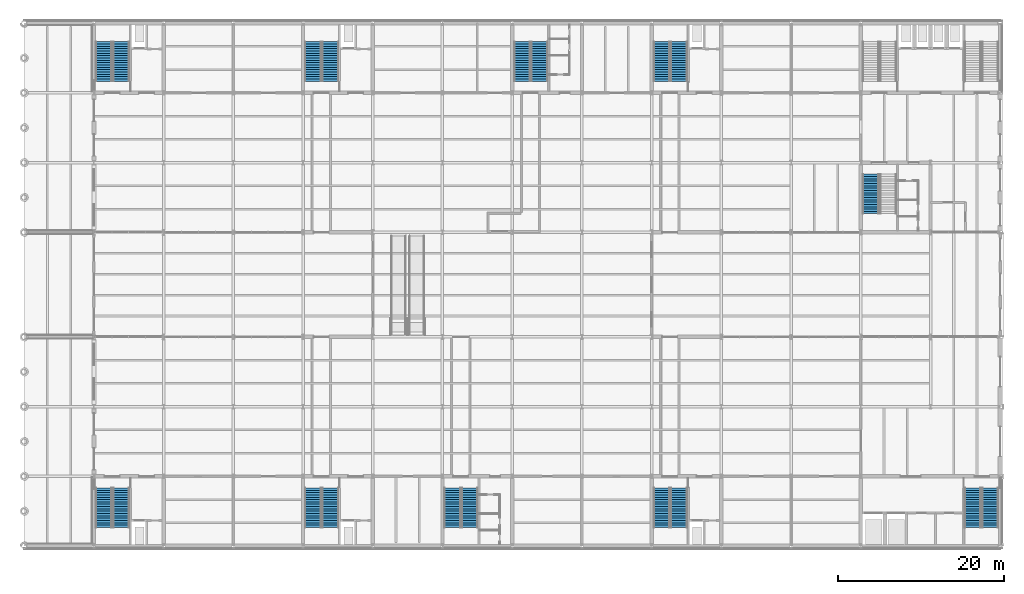
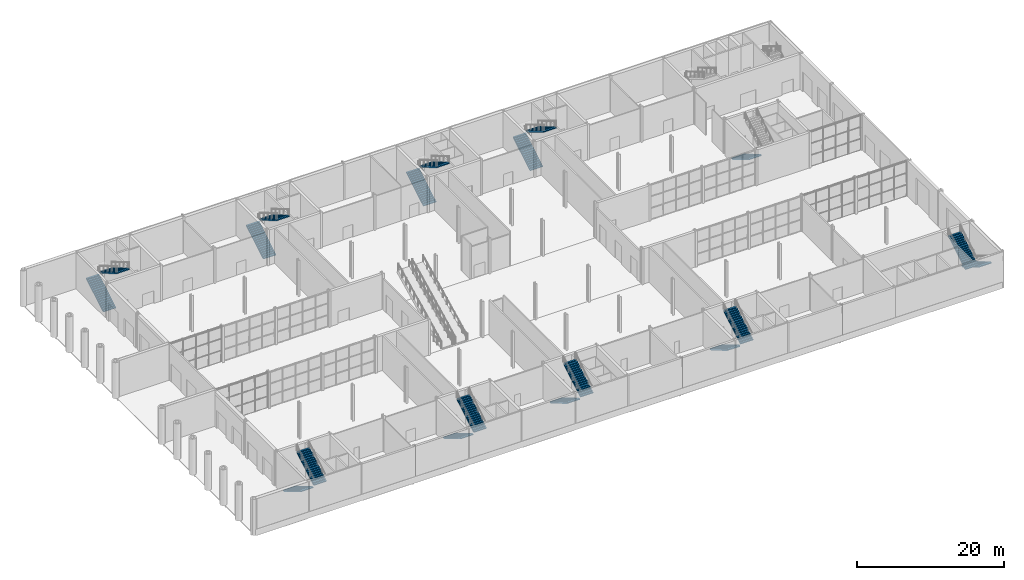
# One storey, part 38 of 55: 19 stair flights, 10 elements without a shape of their own.
"""IFC4 building model written with IfcOpenShell, lengths in metres."""

from ifc_helpers import new_model, si_unit, direction, frame, origin, place, context, subcontext, project, spatial, polyline, outline, extrude, material, type_object, element, aggregate, save


model = new_model("IFC4")

# Units and contexts
model_context = context("Model", 3, precision=1e-05, world=origin(), true_north=direction((0.0, 1.0)))
body_context = subcontext(model_context, "Body", "Model", "MODEL_VIEW")
ifc_project = project(units=[si_unit("LENGTHUNIT", "METRE"), si_unit("AREAUNIT", "SQUARE_METRE"), si_unit("VOLUMEUNIT", "CUBIC_METRE"), si_unit("PLANEANGLEUNIT", "RADIAN"), si_unit("MASSUNIT", "GRAM", prefix="KILO")], contexts=[model_context])

# Site, building, storey
site_placement = place(None, origin())
site = spatial("IfcSite", under=ifc_project, at=site_placement, CompositionType="ELEMENT")
building_placement = place(site_placement, origin())
building = spatial("IfcBuilding", under=site, at=building_placement, Name="Galleria Vessillo Department Store", CompositionType="ELEMENT")
storey_placement = place(building_placement, origin())
storey = spatial("IfcBuildingStorey", under=building, at=storey_placement, Name="L00", CompositionType="ELEMENT", Elevation=0.0)

# Stair, stair flights
ifc_material_1 = material(Name="Concrete C32/40", Category="concrete")
stair_type = type_object("IfcStairType", Name="Half-turn escape stair 2000 mm, 36 risers of 167 mm", PredefinedType="HALF_TURN_STAIR", material=ifc_material_1)
stair_1_placement = place(storey_placement, origin())
stair_1 = element("IfcStair", 1, at=stair_1_placement, inside=storey, type_object=stair_type, Name="Stair ST1 L00", PredefinedType="HALF_TURN_STAIR")
ifc_material_2 = material(Name="Concrete C32/40", Category="concrete")
stair_flight_type = type_object("IfcStairFlightType", Name="Stair flight 2000 mm, 18 risers of 167 mm", PredefinedType="STRAIGHT", material=ifc_material_2)
stair_flight_1_placement = place(storey_placement, frame((9.60009765625, 7.00048828125, 0.0), z_axis=(0.0, 0.0, 1.0), x_axis=(0.0, -1.0, 0.0)))
stair_flight_1 = element("IfcStairFlight", 2, at=stair_flight_1_placement, type_object=stair_flight_type, Name="ST1 flight 1", NumberOfRisers=18, NumberOfTreads=17, PredefinedType="STRAIGHT", RiserHeight=0.166666667, TreadLength=0.28, context=body_context, shape_type="SweptSolid", body=[
    extrude(outline(polyline([(0.0, 0.0), (0.0, 0.166748046875), (0.280029296875, 0.166748046875), (0.280029296875, 0.333251953125), (0.56005859375, 0.333251953125), (0.56005859375, 0.5), (0.840087890625, 0.5), (0.840087890625, 0.666748046875), (1.1201171875, 0.666748046875), (1.1201171875, 0.833251953125), (1.39990234375, 0.833251953125), (1.39990234375, 1.0), (1.679931640625, 1.0), (1.679931640625, 1.166748046875), (1.9599609375, 1.166748046875), (1.9599609375, 1.333251953125), (2.239990234375, 1.333251953125), (2.239990234375, 1.5), (2.52001953125, 1.5), (2.52001953125, 1.666748046875), (2.800048828125, 1.666748046875), (2.800048828125, 1.833251953125), (3.080078125, 1.833251953125), (3.080078125, 2.0), (3.360107421875, 2.0), (3.360107421875, 2.166748046875), (3.639892578125, 2.166748046875), (3.639892578125, 2.333251953125), (3.919921875, 2.333251953125), (3.919921875, 2.5), (4.199951171875, 2.5), (4.199951171875, 2.666748046875), (4.47998046875, 2.666748046875), (4.47998046875, 2.833251953125), (4.760009765625, 2.833251953125), (4.760009765625, 3.0), (4.760009765625, 2.658935546875), (0.29296875, 0.0), (0.0, 0.0)])), frame((0.0, 1.0, 0.0), z_axis=(0.0, -1.0, 0.0), x_axis=(1.0, 0.0, 0.0)), (0.0, 0.0, 1.0), 2.0),
])
stair_flight_2_placement = place(storey_placement, frame((11.699951171875, 2.240478515625, 3.0), z_axis=(0.0, 0.0, 1.0), x_axis=(0.0, 1.0, 0.0)))
stair_flight_2 = element("IfcStairFlight", 3, at=stair_flight_2_placement, type_object=stair_flight_type, Name="ST1 flight 2", NumberOfRisers=18, NumberOfTreads=17, PredefinedType="STRAIGHT", RiserHeight=0.166666667, TreadLength=0.28, context=body_context, shape_type="SweptSolid", body=[
    extrude(outline(polyline([(0.0, 0.0), (0.0, 0.166748046875), (0.280029296875, 0.166748046875), (0.280029296875, 0.333251953125), (0.56005859375, 0.333251953125), (0.56005859375, 0.5), (0.840087890625, 0.5), (0.840087890625, 0.666748046875), (1.1201171875, 0.666748046875), (1.1201171875, 0.833251953125), (1.39990234375, 0.833251953125), (1.39990234375, 1.0), (1.679931640625, 1.0), (1.679931640625, 1.166748046875), (1.9599609375, 1.166748046875), (1.9599609375, 1.333251953125), (2.239990234375, 1.333251953125), (2.239990234375, 1.5), (2.52001953125, 1.5), (2.52001953125, 1.666748046875), (2.800048828125, 1.666748046875), (2.800048828125, 1.833251953125), (3.080078125, 1.833251953125), (3.080078125, 2.0), (3.360107421875, 2.0), (3.360107421875, 2.166748046875), (3.639892578125, 2.166748046875), (3.639892578125, 2.333251953125), (3.919921875, 2.333251953125), (3.919921875, 2.5), (4.199951171875, 2.5), (4.199951171875, 2.666748046875), (4.47998046875, 2.666748046875), (4.47998046875, 2.833251953125), (4.760009765625, 2.833251953125), (4.760009765625, 3.0), (4.760009765625, 2.658935546875), (0.29296875, 0.0), (0.0, 0.0)])), frame((0.0, 1.0, 0.0), z_axis=(0.0, -1.0, 0.0), x_axis=(1.0, 0.0, 0.0)), (0.0, 0.0, 1.0), 2.0),
])
aggregate(stair_1, [stair_flight_1, stair_flight_2])

stair_2_placement = place(storey_placement, origin())
stair_2 = element("IfcStair", 4, at=stair_2_placement, inside=storey, type_object=stair_type, Name="Stair ST2 L00", PredefinedType="HALF_TURN_STAIR")
stair_flight_3_placement = place(storey_placement, frame((9.60009765625, 55.99951171875, 0.0), z_axis=(0.0, 0.0, 1.0), x_axis=(0.0, 1.0, 0.0)))
stair_flight_3 = element("IfcStairFlight", 5, at=stair_flight_3_placement, type_object=stair_flight_type, Name="ST2 flight 1", NumberOfRisers=18, NumberOfTreads=17, PredefinedType="STRAIGHT", RiserHeight=0.166666667, TreadLength=0.28, context=body_context, shape_type="SweptSolid", body=[
    extrude(outline(polyline([(0.0, 0.0), (0.0, 0.166748046875), (0.280029296875, 0.166748046875), (0.280029296875, 0.333251953125), (0.56005859375, 0.333251953125), (0.56005859375, 0.5), (0.840087890625, 0.5), (0.840087890625, 0.666748046875), (1.1201171875, 0.666748046875), (1.1201171875, 0.833251953125), (1.39990234375, 0.833251953125), (1.39990234375, 1.0), (1.679931640625, 1.0), (1.679931640625, 1.166748046875), (1.9599609375, 1.166748046875), (1.9599609375, 1.333251953125), (2.239990234375, 1.333251953125), (2.239990234375, 1.5), (2.52001953125, 1.5), (2.52001953125, 1.666748046875), (2.800048828125, 1.666748046875), (2.800048828125, 1.833251953125), (3.080078125, 1.833251953125), (3.080078125, 2.0), (3.360107421875, 2.0), (3.360107421875, 2.166748046875), (3.639892578125, 2.166748046875), (3.639892578125, 2.333251953125), (3.919921875, 2.333251953125), (3.919921875, 2.5), (4.199951171875, 2.5), (4.199951171875, 2.666748046875), (4.47998046875, 2.666748046875), (4.47998046875, 2.833251953125), (4.760009765625, 2.833251953125), (4.760009765625, 3.0), (4.760009765625, 2.658935546875), (0.29296875, 0.0), (0.0, 0.0)])), frame((0.0, 1.0, 0.0), z_axis=(0.0, -1.0, 0.0), x_axis=(1.0, 0.0, 0.0)), (0.0, 0.0, 1.0), 2.0),
])
stair_flight_4_placement = place(storey_placement, frame((11.699951171875, 60.759521484375, 3.0), z_axis=(0.0, 0.0, 1.0), x_axis=(0.0, -1.0, 0.0)))
stair_flight_4 = element("IfcStairFlight", 6, at=stair_flight_4_placement, type_object=stair_flight_type, Name="ST2 flight 2", NumberOfRisers=18, NumberOfTreads=17, PredefinedType="STRAIGHT", RiserHeight=0.166666667, TreadLength=0.28, context=body_context, shape_type="SweptSolid", body=[
    extrude(outline(polyline([(0.0, 0.0), (0.0, 0.166748046875), (0.280029296875, 0.166748046875), (0.280029296875, 0.333251953125), (0.56005859375, 0.333251953125), (0.56005859375, 0.5), (0.840087890625, 0.5), (0.840087890625, 0.666748046875), (1.1201171875, 0.666748046875), (1.1201171875, 0.833251953125), (1.39990234375, 0.833251953125), (1.39990234375, 1.0), (1.679931640625, 1.0), (1.679931640625, 1.166748046875), (1.9599609375, 1.166748046875), (1.9599609375, 1.333251953125), (2.239990234375, 1.333251953125), (2.239990234375, 1.5), (2.52001953125, 1.5), (2.52001953125, 1.666748046875), (2.800048828125, 1.666748046875), (2.800048828125, 1.833251953125), (3.080078125, 1.833251953125), (3.080078125, 2.0), (3.360107421875, 2.0), (3.360107421875, 2.166748046875), (3.639892578125, 2.166748046875), (3.639892578125, 2.333251953125), (3.919921875, 2.333251953125), (3.919921875, 2.5), (4.199951171875, 2.5), (4.199951171875, 2.666748046875), (4.47998046875, 2.666748046875), (4.47998046875, 2.833251953125), (4.760009765625, 2.833251953125), (4.760009765625, 3.0), (4.760009765625, 2.658935546875), (0.29296875, 0.0), (0.0, 0.0)])), frame((0.0, 1.0, 0.0), z_axis=(0.0, -1.0, 0.0), x_axis=(1.0, 0.0, 0.0)), (0.0, 0.0, 1.0), 2.0),
])
aggregate(stair_2, [stair_flight_3, stair_flight_4])

stair_3_placement = place(storey_placement, origin())
stair_3 = element("IfcStair", 7, at=stair_3_placement, inside=storey, type_object=stair_type, Name="Stair ST3 L00", PredefinedType="HALF_TURN_STAIR")
stair_flight_5_placement = place(storey_placement, frame((34.800048828125, 7.00048828125, 0.0), z_axis=(0.0, 0.0, 1.0), x_axis=(0.0, -1.0, 0.0)))
stair_flight_5 = element("IfcStairFlight", 8, at=stair_flight_5_placement, type_object=stair_flight_type, Name="ST3 flight 1", NumberOfRisers=18, NumberOfTreads=17, PredefinedType="STRAIGHT", RiserHeight=0.166666667, TreadLength=0.28, context=body_context, shape_type="SweptSolid", body=[
    extrude(outline(polyline([(0.0, 0.0), (0.0, 0.166748046875), (0.280029296875, 0.166748046875), (0.280029296875, 0.333251953125), (0.56005859375, 0.333251953125), (0.56005859375, 0.5), (0.840087890625, 0.5), (0.840087890625, 0.666748046875), (1.1201171875, 0.666748046875), (1.1201171875, 0.833251953125), (1.39990234375, 0.833251953125), (1.39990234375, 1.0), (1.679931640625, 1.0), (1.679931640625, 1.166748046875), (1.9599609375, 1.166748046875), (1.9599609375, 1.333251953125), (2.239990234375, 1.333251953125), (2.239990234375, 1.5), (2.52001953125, 1.5), (2.52001953125, 1.666748046875), (2.800048828125, 1.666748046875), (2.800048828125, 1.833251953125), (3.080078125, 1.833251953125), (3.080078125, 2.0), (3.360107421875, 2.0), (3.360107421875, 2.166748046875), (3.639892578125, 2.166748046875), (3.639892578125, 2.333251953125), (3.919921875, 2.333251953125), (3.919921875, 2.5), (4.199951171875, 2.5), (4.199951171875, 2.666748046875), (4.47998046875, 2.666748046875), (4.47998046875, 2.833251953125), (4.760009765625, 2.833251953125), (4.760009765625, 3.0), (4.760009765625, 2.658935546875), (0.29296875, 0.0), (0.0, 0.0)])), frame((0.0, 1.0, 0.0), z_axis=(0.0, -1.0, 0.0), x_axis=(1.0, 0.0, 0.0)), (0.0, 0.0, 1.0), 2.0),
])
stair_flight_6_placement = place(storey_placement, frame((36.89990234375, 2.240478515625, 3.0), z_axis=(0.0, 0.0, 1.0), x_axis=(0.0, 1.0, 0.0)))
stair_flight_6 = element("IfcStairFlight", 9, at=stair_flight_6_placement, type_object=stair_flight_type, Name="ST3 flight 2", NumberOfRisers=18, NumberOfTreads=17, PredefinedType="STRAIGHT", RiserHeight=0.166666667, TreadLength=0.28, context=body_context, shape_type="SweptSolid", body=[
    extrude(outline(polyline([(0.0, 0.0), (0.0, 0.166748046875), (0.280029296875, 0.166748046875), (0.280029296875, 0.333251953125), (0.56005859375, 0.333251953125), (0.56005859375, 0.5), (0.840087890625, 0.5), (0.840087890625, 0.666748046875), (1.1201171875, 0.666748046875), (1.1201171875, 0.833251953125), (1.39990234375, 0.833251953125), (1.39990234375, 1.0), (1.679931640625, 1.0), (1.679931640625, 1.166748046875), (1.9599609375, 1.166748046875), (1.9599609375, 1.333251953125), (2.239990234375, 1.333251953125), (2.239990234375, 1.5), (2.52001953125, 1.5), (2.52001953125, 1.666748046875), (2.800048828125, 1.666748046875), (2.800048828125, 1.833251953125), (3.080078125, 1.833251953125), (3.080078125, 2.0), (3.360107421875, 2.0), (3.360107421875, 2.166748046875), (3.639892578125, 2.166748046875), (3.639892578125, 2.333251953125), (3.919921875, 2.333251953125), (3.919921875, 2.5), (4.199951171875, 2.5), (4.199951171875, 2.666748046875), (4.47998046875, 2.666748046875), (4.47998046875, 2.833251953125), (4.760009765625, 2.833251953125), (4.760009765625, 3.0), (4.760009765625, 2.658935546875), (0.29296875, 0.0), (0.0, 0.0)])), frame((0.0, 1.0, 0.0), z_axis=(0.0, -1.0, 0.0), x_axis=(1.0, 0.0, 0.0)), (0.0, 0.0, 1.0), 2.0),
])
aggregate(stair_3, [stair_flight_5, stair_flight_6])

stair_4_placement = place(storey_placement, origin())
stair_4 = element("IfcStair", 10, at=stair_4_placement, inside=storey, type_object=stair_type, Name="Stair ST4 L00", PredefinedType="HALF_TURN_STAIR")
stair_flight_7_placement = place(storey_placement, frame((34.800048828125, 55.99951171875, 0.0), z_axis=(0.0, 0.0, 1.0), x_axis=(0.0, 1.0, 0.0)))
stair_flight_7 = element("IfcStairFlight", 11, at=stair_flight_7_placement, type_object=stair_flight_type, Name="ST4 flight 1", NumberOfRisers=18, NumberOfTreads=17, PredefinedType="STRAIGHT", RiserHeight=0.166666667, TreadLength=0.28, context=body_context, shape_type="SweptSolid", body=[
    extrude(outline(polyline([(0.0, 0.0), (0.0, 0.166748046875), (0.280029296875, 0.166748046875), (0.280029296875, 0.333251953125), (0.56005859375, 0.333251953125), (0.56005859375, 0.5), (0.840087890625, 0.5), (0.840087890625, 0.666748046875), (1.1201171875, 0.666748046875), (1.1201171875, 0.833251953125), (1.39990234375, 0.833251953125), (1.39990234375, 1.0), (1.679931640625, 1.0), (1.679931640625, 1.166748046875), (1.9599609375, 1.166748046875), (1.9599609375, 1.333251953125), (2.239990234375, 1.333251953125), (2.239990234375, 1.5), (2.52001953125, 1.5), (2.52001953125, 1.666748046875), (2.800048828125, 1.666748046875), (2.800048828125, 1.833251953125), (3.080078125, 1.833251953125), (3.080078125, 2.0), (3.360107421875, 2.0), (3.360107421875, 2.166748046875), (3.639892578125, 2.166748046875), (3.639892578125, 2.333251953125), (3.919921875, 2.333251953125), (3.919921875, 2.5), (4.199951171875, 2.5), (4.199951171875, 2.666748046875), (4.47998046875, 2.666748046875), (4.47998046875, 2.833251953125), (4.760009765625, 2.833251953125), (4.760009765625, 3.0), (4.760009765625, 2.658935546875), (0.29296875, 0.0), (0.0, 0.0)])), frame((0.0, 1.0, 0.0), z_axis=(0.0, -1.0, 0.0), x_axis=(1.0, 0.0, 0.0)), (0.0, 0.0, 1.0), 2.0),
])
stair_flight_8_placement = place(storey_placement, frame((36.89990234375, 60.759521484375, 3.0), z_axis=(0.0, 0.0, 1.0), x_axis=(0.0, -1.0, 0.0)))
stair_flight_8 = element("IfcStairFlight", 12, at=stair_flight_8_placement, type_object=stair_flight_type, Name="ST4 flight 2", NumberOfRisers=18, NumberOfTreads=17, PredefinedType="STRAIGHT", RiserHeight=0.166666667, TreadLength=0.28, context=body_context, shape_type="SweptSolid", body=[
    extrude(outline(polyline([(0.0, 0.0), (0.0, 0.166748046875), (0.280029296875, 0.166748046875), (0.280029296875, 0.333251953125), (0.56005859375, 0.333251953125), (0.56005859375, 0.5), (0.840087890625, 0.5), (0.840087890625, 0.666748046875), (1.1201171875, 0.666748046875), (1.1201171875, 0.833251953125), (1.39990234375, 0.833251953125), (1.39990234375, 1.0), (1.679931640625, 1.0), (1.679931640625, 1.166748046875), (1.9599609375, 1.166748046875), (1.9599609375, 1.333251953125), (2.239990234375, 1.333251953125), (2.239990234375, 1.5), (2.52001953125, 1.5), (2.52001953125, 1.666748046875), (2.800048828125, 1.666748046875), (2.800048828125, 1.833251953125), (3.080078125, 1.833251953125), (3.080078125, 2.0), (3.360107421875, 2.0), (3.360107421875, 2.166748046875), (3.639892578125, 2.166748046875), (3.639892578125, 2.333251953125), (3.919921875, 2.333251953125), (3.919921875, 2.5), (4.199951171875, 2.5), (4.199951171875, 2.666748046875), (4.47998046875, 2.666748046875), (4.47998046875, 2.833251953125), (4.760009765625, 2.833251953125), (4.760009765625, 3.0), (4.760009765625, 2.658935546875), (0.29296875, 0.0), (0.0, 0.0)])), frame((0.0, 1.0, 0.0), z_axis=(0.0, -1.0, 0.0), x_axis=(1.0, 0.0, 0.0)), (0.0, 0.0, 1.0), 2.0),
])
aggregate(stair_4, [stair_flight_7, stair_flight_8])

stair_5_placement = place(storey_placement, origin())
stair_5 = element("IfcStair", 13, at=stair_5_placement, inside=storey, type_object=stair_type, Name="Stair ST5 L00", PredefinedType="HALF_TURN_STAIR")
stair_flight_9_placement = place(storey_placement, frame((76.800048828125, 7.00048828125, 0.0), z_axis=(0.0, 0.0, 1.0), x_axis=(0.0, -1.0, 0.0)))
stair_flight_9 = element("IfcStairFlight", 14, at=stair_flight_9_placement, type_object=stair_flight_type, Name="ST5 flight 1", NumberOfRisers=18, NumberOfTreads=17, PredefinedType="STRAIGHT", RiserHeight=0.166666667, TreadLength=0.28, context=body_context, shape_type="SweptSolid", body=[
    extrude(outline(polyline([(0.0, 0.0), (0.0, 0.166748046875), (0.280029296875, 0.166748046875), (0.280029296875, 0.333251953125), (0.56005859375, 0.333251953125), (0.56005859375, 0.5), (0.840087890625, 0.5), (0.840087890625, 0.666748046875), (1.1201171875, 0.666748046875), (1.1201171875, 0.833251953125), (1.39990234375, 0.833251953125), (1.39990234375, 1.0), (1.679931640625, 1.0), (1.679931640625, 1.166748046875), (1.9599609375, 1.166748046875), (1.9599609375, 1.333251953125), (2.239990234375, 1.333251953125), (2.239990234375, 1.5), (2.52001953125, 1.5), (2.52001953125, 1.666748046875), (2.800048828125, 1.666748046875), (2.800048828125, 1.833251953125), (3.080078125, 1.833251953125), (3.080078125, 2.0), (3.360107421875, 2.0), (3.360107421875, 2.166748046875), (3.639892578125, 2.166748046875), (3.639892578125, 2.333251953125), (3.919921875, 2.333251953125), (3.919921875, 2.5), (4.199951171875, 2.5), (4.199951171875, 2.666748046875), (4.47998046875, 2.666748046875), (4.47998046875, 2.833251953125), (4.760009765625, 2.833251953125), (4.760009765625, 3.0), (4.760009765625, 2.658935546875), (0.29296875, 0.0), (0.0, 0.0)])), frame((0.0, 1.0, 0.0), z_axis=(0.0, -1.0, 0.0), x_axis=(1.0, 0.0, 0.0)), (0.0, 0.0, 1.0), 2.0),
])
stair_flight_10_placement = place(storey_placement, frame((78.89990234375, 2.240478515625, 3.0), z_axis=(0.0, 0.0, 1.0), x_axis=(0.0, 1.0, 0.0)))
stair_flight_10 = element("IfcStairFlight", 15, at=stair_flight_10_placement, type_object=stair_flight_type, Name="ST5 flight 2", NumberOfRisers=18, NumberOfTreads=17, PredefinedType="STRAIGHT", RiserHeight=0.166666667, TreadLength=0.28, context=body_context, shape_type="SweptSolid", body=[
    extrude(outline(polyline([(0.0, 0.0), (0.0, 0.166748046875), (0.280029296875, 0.166748046875), (0.280029296875, 0.333251953125), (0.56005859375, 0.333251953125), (0.56005859375, 0.5), (0.840087890625, 0.5), (0.840087890625, 0.666748046875), (1.1201171875, 0.666748046875), (1.1201171875, 0.833251953125), (1.39990234375, 0.833251953125), (1.39990234375, 1.0), (1.679931640625, 1.0), (1.679931640625, 1.166748046875), (1.9599609375, 1.166748046875), (1.9599609375, 1.333251953125), (2.239990234375, 1.333251953125), (2.239990234375, 1.5), (2.52001953125, 1.5), (2.52001953125, 1.666748046875), (2.800048828125, 1.666748046875), (2.800048828125, 1.833251953125), (3.080078125, 1.833251953125), (3.080078125, 2.0), (3.360107421875, 2.0), (3.360107421875, 2.166748046875), (3.639892578125, 2.166748046875), (3.639892578125, 2.333251953125), (3.919921875, 2.333251953125), (3.919921875, 2.5), (4.199951171875, 2.5), (4.199951171875, 2.666748046875), (4.47998046875, 2.666748046875), (4.47998046875, 2.833251953125), (4.760009765625, 2.833251953125), (4.760009765625, 3.0), (4.760009765625, 2.658935546875), (0.29296875, 0.0), (0.0, 0.0)])), frame((0.0, 1.0, 0.0), z_axis=(0.0, -1.0, 0.0), x_axis=(1.0, 0.0, 0.0)), (0.0, 0.0, 1.0), 2.0),
])
aggregate(stair_5, [stair_flight_9, stair_flight_10])

stair_6_placement = place(storey_placement, origin())
stair_6 = element("IfcStair", 16, at=stair_6_placement, inside=storey, type_object=stair_type, Name="Stair ST6 L00", PredefinedType="HALF_TURN_STAIR")
stair_flight_11_placement = place(storey_placement, frame((76.800048828125, 55.99951171875, 0.0), z_axis=(0.0, 0.0, 1.0), x_axis=(0.0, 1.0, 0.0)))
stair_flight_11 = element("IfcStairFlight", 17, at=stair_flight_11_placement, type_object=stair_flight_type, Name="ST6 flight 1", NumberOfRisers=18, NumberOfTreads=17, PredefinedType="STRAIGHT", RiserHeight=0.166666667, TreadLength=0.28, context=body_context, shape_type="SweptSolid", body=[
    extrude(outline(polyline([(0.0, 0.0), (0.0, 0.166748046875), (0.280029296875, 0.166748046875), (0.280029296875, 0.333251953125), (0.56005859375, 0.333251953125), (0.56005859375, 0.5), (0.840087890625, 0.5), (0.840087890625, 0.666748046875), (1.1201171875, 0.666748046875), (1.1201171875, 0.833251953125), (1.39990234375, 0.833251953125), (1.39990234375, 1.0), (1.679931640625, 1.0), (1.679931640625, 1.166748046875), (1.9599609375, 1.166748046875), (1.9599609375, 1.333251953125), (2.239990234375, 1.333251953125), (2.239990234375, 1.5), (2.52001953125, 1.5), (2.52001953125, 1.666748046875), (2.800048828125, 1.666748046875), (2.800048828125, 1.833251953125), (3.080078125, 1.833251953125), (3.080078125, 2.0), (3.360107421875, 2.0), (3.360107421875, 2.166748046875), (3.639892578125, 2.166748046875), (3.639892578125, 2.333251953125), (3.919921875, 2.333251953125), (3.919921875, 2.5), (4.199951171875, 2.5), (4.199951171875, 2.666748046875), (4.47998046875, 2.666748046875), (4.47998046875, 2.833251953125), (4.760009765625, 2.833251953125), (4.760009765625, 3.0), (4.760009765625, 2.658935546875), (0.29296875, 0.0), (0.0, 0.0)])), frame((0.0, 1.0, 0.0), z_axis=(0.0, -1.0, 0.0), x_axis=(1.0, 0.0, 0.0)), (0.0, 0.0, 1.0), 2.0),
])
stair_flight_12_placement = place(storey_placement, frame((78.89990234375, 60.759521484375, 3.0), z_axis=(0.0, 0.0, 1.0), x_axis=(0.0, -1.0, 0.0)))
stair_flight_12 = element("IfcStairFlight", 18, at=stair_flight_12_placement, type_object=stair_flight_type, Name="ST6 flight 2", NumberOfRisers=18, NumberOfTreads=17, PredefinedType="STRAIGHT", RiserHeight=0.166666667, TreadLength=0.28, context=body_context, shape_type="SweptSolid", body=[
    extrude(outline(polyline([(0.0, 0.0), (0.0, 0.166748046875), (0.280029296875, 0.166748046875), (0.280029296875, 0.333251953125), (0.56005859375, 0.333251953125), (0.56005859375, 0.5), (0.840087890625, 0.5), (0.840087890625, 0.666748046875), (1.1201171875, 0.666748046875), (1.1201171875, 0.833251953125), (1.39990234375, 0.833251953125), (1.39990234375, 1.0), (1.679931640625, 1.0), (1.679931640625, 1.166748046875), (1.9599609375, 1.166748046875), (1.9599609375, 1.333251953125), (2.239990234375, 1.333251953125), (2.239990234375, 1.5), (2.52001953125, 1.5), (2.52001953125, 1.666748046875), (2.800048828125, 1.666748046875), (2.800048828125, 1.833251953125), (3.080078125, 1.833251953125), (3.080078125, 2.0), (3.360107421875, 2.0), (3.360107421875, 2.166748046875), (3.639892578125, 2.166748046875), (3.639892578125, 2.333251953125), (3.919921875, 2.333251953125), (3.919921875, 2.5), (4.199951171875, 2.5), (4.199951171875, 2.666748046875), (4.47998046875, 2.666748046875), (4.47998046875, 2.833251953125), (4.760009765625, 2.833251953125), (4.760009765625, 3.0), (4.760009765625, 2.658935546875), (0.29296875, 0.0), (0.0, 0.0)])), frame((0.0, 1.0, 0.0), z_axis=(0.0, -1.0, 0.0), x_axis=(1.0, 0.0, 0.0)), (0.0, 0.0, 1.0), 2.0),
])
aggregate(stair_6, [stair_flight_11, stair_flight_12])

stair_7_placement = place(storey_placement, origin())
stair_7 = element("IfcStair", 19, at=stair_7_placement, inside=storey, type_object=stair_type, Name="Stair ST10 L00", PredefinedType="HALF_TURN_STAIR")
stair_flight_13_placement = place(storey_placement, frame((51.60009765625, 7.00048828125, 0.0), z_axis=(0.0, 0.0, 1.0), x_axis=(0.0, -1.0, 0.0)))
stair_flight_13 = element("IfcStairFlight", 20, at=stair_flight_13_placement, type_object=stair_flight_type, Name="ST10 flight 1", NumberOfRisers=18, NumberOfTreads=17, PredefinedType="STRAIGHT", RiserHeight=0.166666667, TreadLength=0.28, context=body_context, shape_type="SweptSolid", body=[
    extrude(outline(polyline([(0.0, 0.0), (0.0, 0.166748046875), (0.280029296875, 0.166748046875), (0.280029296875, 0.333251953125), (0.56005859375, 0.333251953125), (0.56005859375, 0.5), (0.840087890625, 0.5), (0.840087890625, 0.666748046875), (1.1201171875, 0.666748046875), (1.1201171875, 0.833251953125), (1.39990234375, 0.833251953125), (1.39990234375, 1.0), (1.679931640625, 1.0), (1.679931640625, 1.166748046875), (1.9599609375, 1.166748046875), (1.9599609375, 1.333251953125), (2.239990234375, 1.333251953125), (2.239990234375, 1.5), (2.52001953125, 1.5), (2.52001953125, 1.666748046875), (2.800048828125, 1.666748046875), (2.800048828125, 1.833251953125), (3.080078125, 1.833251953125), (3.080078125, 2.0), (3.360107421875, 2.0), (3.360107421875, 2.166748046875), (3.639892578125, 2.166748046875), (3.639892578125, 2.333251953125), (3.919921875, 2.333251953125), (3.919921875, 2.5), (4.199951171875, 2.5), (4.199951171875, 2.666748046875), (4.47998046875, 2.666748046875), (4.47998046875, 2.833251953125), (4.760009765625, 2.833251953125), (4.760009765625, 3.0), (4.760009765625, 2.658935546875), (0.29296875, 0.0), (0.0, 0.0)])), frame((0.0, 1.0, 0.0), z_axis=(0.0, -1.0, 0.0), x_axis=(1.0, 0.0, 0.0)), (0.0, 0.0, 1.0), 2.0),
])
stair_flight_14_placement = place(storey_placement, frame((53.699951171875, 2.240478515625, 3.0), z_axis=(0.0, 0.0, 1.0), x_axis=(0.0, 1.0, 0.0)))
stair_flight_14 = element("IfcStairFlight", 21, at=stair_flight_14_placement, type_object=stair_flight_type, Name="ST10 flight 2", NumberOfRisers=18, NumberOfTreads=17, PredefinedType="STRAIGHT", RiserHeight=0.166666667, TreadLength=0.28, context=body_context, shape_type="SweptSolid", body=[
    extrude(outline(polyline([(0.0, 0.0), (0.0, 0.166748046875), (0.280029296875, 0.166748046875), (0.280029296875, 0.333251953125), (0.56005859375, 0.333251953125), (0.56005859375, 0.5), (0.840087890625, 0.5), (0.840087890625, 0.666748046875), (1.1201171875, 0.666748046875), (1.1201171875, 0.833251953125), (1.39990234375, 0.833251953125), (1.39990234375, 1.0), (1.679931640625, 1.0), (1.679931640625, 1.166748046875), (1.9599609375, 1.166748046875), (1.9599609375, 1.333251953125), (2.239990234375, 1.333251953125), (2.239990234375, 1.5), (2.52001953125, 1.5), (2.52001953125, 1.666748046875), (2.800048828125, 1.666748046875), (2.800048828125, 1.833251953125), (3.080078125, 1.833251953125), (3.080078125, 2.0), (3.360107421875, 2.0), (3.360107421875, 2.166748046875), (3.639892578125, 2.166748046875), (3.639892578125, 2.333251953125), (3.919921875, 2.333251953125), (3.919921875, 2.5), (4.199951171875, 2.5), (4.199951171875, 2.666748046875), (4.47998046875, 2.666748046875), (4.47998046875, 2.833251953125), (4.760009765625, 2.833251953125), (4.760009765625, 3.0), (4.760009765625, 2.658935546875), (0.29296875, 0.0), (0.0, 0.0)])), frame((0.0, 1.0, 0.0), z_axis=(0.0, -1.0, 0.0), x_axis=(1.0, 0.0, 0.0)), (0.0, 0.0, 1.0), 2.0),
])
aggregate(stair_7, [stair_flight_13, stair_flight_14])

stair_8_placement = place(storey_placement, origin())
stair_8 = element("IfcStair", 22, at=stair_8_placement, inside=storey, type_object=stair_type, Name="Stair ST11 L00", PredefinedType="HALF_TURN_STAIR")
stair_flight_15_placement = place(storey_placement, frame((60.0, 55.99951171875, 0.0), z_axis=(0.0, 0.0, 1.0), x_axis=(0.0, 1.0, 0.0)))
stair_flight_15 = element("IfcStairFlight", 23, at=stair_flight_15_placement, type_object=stair_flight_type, Name="ST11 flight 1", NumberOfRisers=18, NumberOfTreads=17, PredefinedType="STRAIGHT", RiserHeight=0.166666667, TreadLength=0.28, context=body_context, shape_type="SweptSolid", body=[
    extrude(outline(polyline([(0.0, 0.0), (0.0, 0.166748046875), (0.280029296875, 0.166748046875), (0.280029296875, 0.333251953125), (0.56005859375, 0.333251953125), (0.56005859375, 0.5), (0.840087890625, 0.5), (0.840087890625, 0.666748046875), (1.1201171875, 0.666748046875), (1.1201171875, 0.833251953125), (1.39990234375, 0.833251953125), (1.39990234375, 1.0), (1.679931640625, 1.0), (1.679931640625, 1.166748046875), (1.9599609375, 1.166748046875), (1.9599609375, 1.333251953125), (2.239990234375, 1.333251953125), (2.239990234375, 1.5), (2.52001953125, 1.5), (2.52001953125, 1.666748046875), (2.800048828125, 1.666748046875), (2.800048828125, 1.833251953125), (3.080078125, 1.833251953125), (3.080078125, 2.0), (3.360107421875, 2.0), (3.360107421875, 2.166748046875), (3.639892578125, 2.166748046875), (3.639892578125, 2.333251953125), (3.919921875, 2.333251953125), (3.919921875, 2.5), (4.199951171875, 2.5), (4.199951171875, 2.666748046875), (4.47998046875, 2.666748046875), (4.47998046875, 2.833251953125), (4.760009765625, 2.833251953125), (4.760009765625, 3.0), (4.760009765625, 2.658935546875), (0.29296875, 0.0), (0.0, 0.0)])), frame((0.0, 1.0, 0.0), z_axis=(0.0, -1.0, 0.0), x_axis=(1.0, 0.0, 0.0)), (0.0, 0.0, 1.0), 2.0),
])
stair_flight_16_placement = place(storey_placement, frame((62.10009765625, 60.759521484375, 3.0), z_axis=(0.0, 0.0, 1.0), x_axis=(0.0, -1.0, 0.0)))
stair_flight_16 = element("IfcStairFlight", 24, at=stair_flight_16_placement, type_object=stair_flight_type, Name="ST11 flight 2", NumberOfRisers=18, NumberOfTreads=17, PredefinedType="STRAIGHT", RiserHeight=0.166666667, TreadLength=0.28, context=body_context, shape_type="SweptSolid", body=[
    extrude(outline(polyline([(0.0, 0.0), (0.0, 0.166748046875), (0.280029296875, 0.166748046875), (0.280029296875, 0.333251953125), (0.56005859375, 0.333251953125), (0.56005859375, 0.5), (0.840087890625, 0.5), (0.840087890625, 0.666748046875), (1.1201171875, 0.666748046875), (1.1201171875, 0.833251953125), (1.39990234375, 0.833251953125), (1.39990234375, 1.0), (1.679931640625, 1.0), (1.679931640625, 1.166748046875), (1.9599609375, 1.166748046875), (1.9599609375, 1.333251953125), (2.239990234375, 1.333251953125), (2.239990234375, 1.5), (2.52001953125, 1.5), (2.52001953125, 1.666748046875), (2.800048828125, 1.666748046875), (2.800048828125, 1.833251953125), (3.080078125, 1.833251953125), (3.080078125, 2.0), (3.360107421875, 2.0), (3.360107421875, 2.166748046875), (3.639892578125, 2.166748046875), (3.639892578125, 2.333251953125), (3.919921875, 2.333251953125), (3.919921875, 2.5), (4.199951171875, 2.5), (4.199951171875, 2.666748046875), (4.47998046875, 2.666748046875), (4.47998046875, 2.833251953125), (4.760009765625, 2.833251953125), (4.760009765625, 3.0), (4.760009765625, 2.658935546875), (0.29296875, 0.0), (0.0, 0.0)])), frame((0.0, 1.0, 0.0), z_axis=(0.0, -1.0, 0.0), x_axis=(1.0, 0.0, 0.0)), (0.0, 0.0, 1.0), 2.0),
])
aggregate(stair_8, [stair_flight_15, stair_flight_16])

stair_9_placement = place(storey_placement, origin())
stair_9 = element("IfcStair", 25, at=stair_9_placement, inside=storey, type_object=stair_type, Name="Stair ST7 L00", PredefinedType="HALF_TURN_STAIR")
stair_flight_17_placement = place(storey_placement, frame((116.39990234375, 7.00048828125, 0.0), z_axis=(0.0, 0.0, 1.0), x_axis=(0.0, -1.0, 0.0)))
stair_flight_17 = element("IfcStairFlight", 26, at=stair_flight_17_placement, type_object=stair_flight_type, Name="ST7 flight 1", NumberOfRisers=18, NumberOfTreads=17, PredefinedType="STRAIGHT", RiserHeight=0.166666667, TreadLength=0.28, context=body_context, shape_type="SweptSolid", body=[
    extrude(outline(polyline([(0.0, 0.0), (0.0, 0.166748046875), (0.280029296875, 0.166748046875), (0.280029296875, 0.333251953125), (0.56005859375, 0.333251953125), (0.56005859375, 0.5), (0.840087890625, 0.5), (0.840087890625, 0.666748046875), (1.1201171875, 0.666748046875), (1.1201171875, 0.833251953125), (1.39990234375, 0.833251953125), (1.39990234375, 1.0), (1.679931640625, 1.0), (1.679931640625, 1.166748046875), (1.9599609375, 1.166748046875), (1.9599609375, 1.333251953125), (2.239990234375, 1.333251953125), (2.239990234375, 1.5), (2.52001953125, 1.5), (2.52001953125, 1.666748046875), (2.800048828125, 1.666748046875), (2.800048828125, 1.833251953125), (3.080078125, 1.833251953125), (3.080078125, 2.0), (3.360107421875, 2.0), (3.360107421875, 2.166748046875), (3.639892578125, 2.166748046875), (3.639892578125, 2.333251953125), (3.919921875, 2.333251953125), (3.919921875, 2.5), (4.199951171875, 2.5), (4.199951171875, 2.666748046875), (4.47998046875, 2.666748046875), (4.47998046875, 2.833251953125), (4.760009765625, 2.833251953125), (4.760009765625, 3.0), (4.760009765625, 2.658935546875), (0.29296875, 0.0), (0.0, 0.0)])), frame((0.0, 1.0, 0.0), z_axis=(0.0, -1.0, 0.0), x_axis=(1.0, 0.0, 0.0)), (0.0, 0.0, 1.0), 2.0),
])
stair_flight_18_placement = place(storey_placement, frame((114.300048828125, 2.240478515625, 3.0), z_axis=(0.0, 0.0, 1.0), x_axis=(0.0, 1.0, 0.0)))
stair_flight_18 = element("IfcStairFlight", 27, at=stair_flight_18_placement, type_object=stair_flight_type, Name="ST7 flight 2", NumberOfRisers=18, NumberOfTreads=17, PredefinedType="STRAIGHT", RiserHeight=0.166666667, TreadLength=0.28, context=body_context, shape_type="SweptSolid", body=[
    extrude(outline(polyline([(0.0, 0.0), (0.0, 0.166748046875), (0.280029296875, 0.166748046875), (0.280029296875, 0.333251953125), (0.56005859375, 0.333251953125), (0.56005859375, 0.5), (0.840087890625, 0.5), (0.840087890625, 0.666748046875), (1.1201171875, 0.666748046875), (1.1201171875, 0.833251953125), (1.39990234375, 0.833251953125), (1.39990234375, 1.0), (1.679931640625, 1.0), (1.679931640625, 1.166748046875), (1.9599609375, 1.166748046875), (1.9599609375, 1.333251953125), (2.239990234375, 1.333251953125), (2.239990234375, 1.5), (2.52001953125, 1.5), (2.52001953125, 1.666748046875), (2.800048828125, 1.666748046875), (2.800048828125, 1.833251953125), (3.080078125, 1.833251953125), (3.080078125, 2.0), (3.360107421875, 2.0), (3.360107421875, 2.166748046875), (3.639892578125, 2.166748046875), (3.639892578125, 2.333251953125), (3.919921875, 2.333251953125), (3.919921875, 2.5), (4.199951171875, 2.5), (4.199951171875, 2.666748046875), (4.47998046875, 2.666748046875), (4.47998046875, 2.833251953125), (4.760009765625, 2.833251953125), (4.760009765625, 3.0), (4.760009765625, 2.658935546875), (0.29296875, 0.0), (0.0, 0.0)])), frame((0.0, 1.0, 0.0), z_axis=(0.0, -1.0, 0.0), x_axis=(1.0, 0.0, 0.0)), (0.0, 0.0, 1.0), 2.0),
])
aggregate(stair_9, [stair_flight_17, stair_flight_18])

# Stair, stair flight
stair_10_placement = place(storey_placement, origin())
stair_10 = element("IfcStair", 28, at=stair_10_placement, inside=storey, type_object=stair_type, Name="Stair ST12 L00", PredefinedType="HALF_TURN_STAIR")
stair_flight_19_placement = place(storey_placement, frame((102.0, 44.800537109375, 0.0), z_axis=(0.0, 0.0, 1.0), x_axis=(0.0, -1.0, 0.0)))
stair_flight_19 = element("IfcStairFlight", 29, at=stair_flight_19_placement, type_object=stair_flight_type, Name="ST12 flight 1", NumberOfRisers=18, NumberOfTreads=17, PredefinedType="STRAIGHT", RiserHeight=0.166666667, TreadLength=0.28, context=body_context, shape_type="SweptSolid", body=[
    extrude(outline(polyline([(0.0, 0.0), (0.0, 0.166748046875), (0.280029296875, 0.166748046875), (0.280029296875, 0.333251953125), (0.56005859375, 0.333251953125), (0.56005859375, 0.5), (0.840087890625, 0.5), (0.840087890625, 0.666748046875), (1.1201171875, 0.666748046875), (1.1201171875, 0.833251953125), (1.39990234375, 0.833251953125), (1.39990234375, 1.0), (1.679931640625, 1.0), (1.679931640625, 1.166748046875), (1.9599609375, 1.166748046875), (1.9599609375, 1.333251953125), (2.239990234375, 1.333251953125), (2.239990234375, 1.5), (2.52001953125, 1.5), (2.52001953125, 1.666748046875), (2.800048828125, 1.666748046875), (2.800048828125, 1.833251953125), (3.080078125, 1.833251953125), (3.080078125, 2.0), (3.360107421875, 2.0), (3.360107421875, 2.166748046875), (3.639892578125, 2.166748046875), (3.639892578125, 2.333251953125), (3.919921875, 2.333251953125), (3.919921875, 2.5), (4.199951171875, 2.5), (4.199951171875, 2.666748046875), (4.47998046875, 2.666748046875), (4.47998046875, 2.833251953125), (4.760009765625, 2.833251953125), (4.760009765625, 3.0), (4.760009765625, 2.658935546875), (0.29296875, 0.0), (0.0, 0.0)])), frame((0.0, 1.0, 0.0), z_axis=(0.0, -1.0, 0.0), x_axis=(1.0, 0.0, 0.0)), (0.0, 0.0, 1.0), 2.0),
])
aggregate(stair_10, [stair_flight_19])

save(model, "model.ifc")
